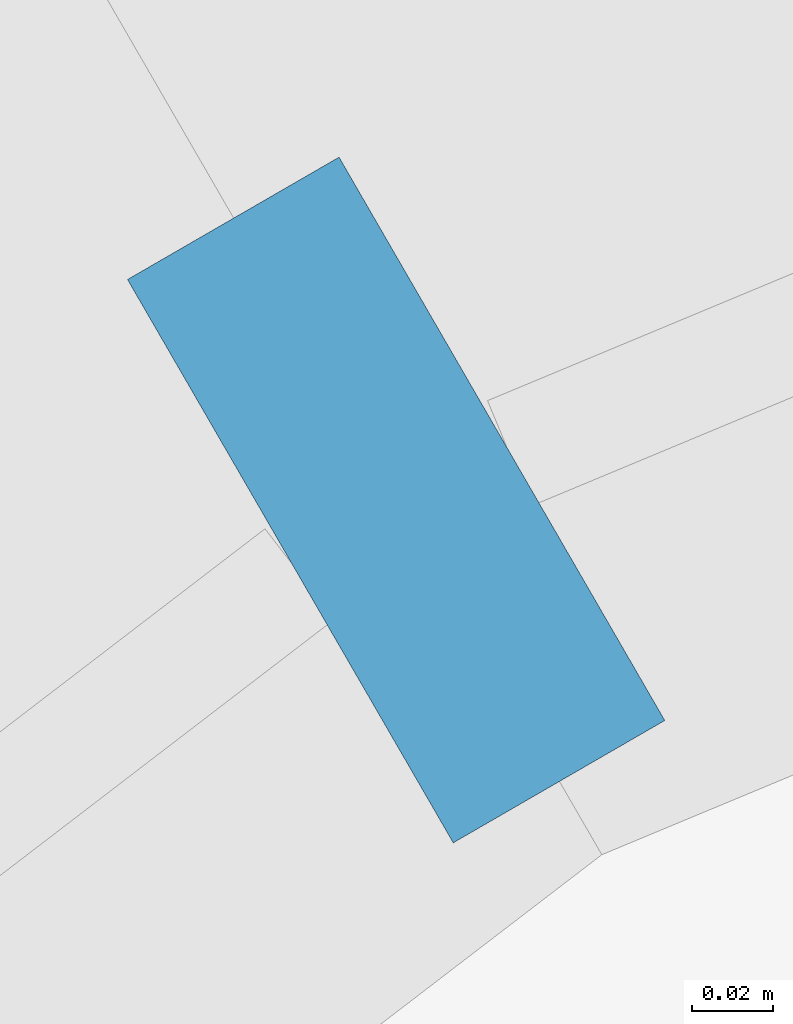
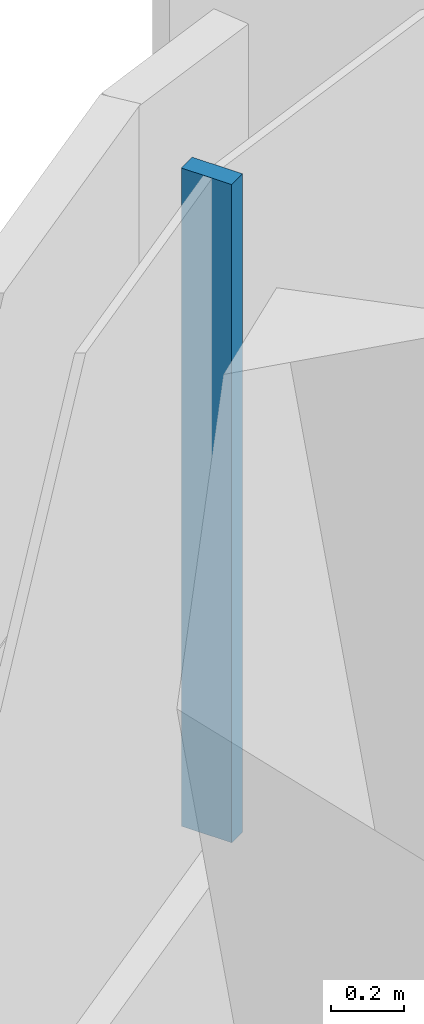
# One storey, part 17 of 33: 1 member, 1 element without a shape of its own.
"""IFC4 building model written with IfcOpenShell, lengths in metres."""

from ifc_helpers import new_model, si_unit, direction, frame, origin, origin_2d, place, context, subcontext, project, spatial, rectangle, extrude, material, layer, layer_set, material_profile, profile_set, type_object, element, aggregate, save


model = new_model("IFC4")

# Units and contexts
model_context = context("Model", 3, precision=1e-05, world=origin(), true_north=direction((0.0, 1.0)))
body_context = subcontext(model_context, "Body", "Model", "MODEL_VIEW")
ifc_project = project(units=[si_unit("LENGTHUNIT", "METRE"), si_unit("AREAUNIT", "SQUARE_METRE"), si_unit("VOLUMEUNIT", "CUBIC_METRE"), si_unit("PLANEANGLEUNIT", "RADIAN"), si_unit("MASSUNIT", "GRAM", prefix="KILO")], contexts=[model_context])

# Site, building, storey
site_placement = place(None, origin())
site = spatial("IfcSite", under=ifc_project, at=site_placement, CompositionType="ELEMENT")
building_placement = place(site_placement, origin())
building = spatial("IfcBuilding", under=site, at=building_placement, Name="Tamarind Cross Interchange Tower", CompositionType="ELEMENT")
storey_placement = place(building_placement, frame((0.0, 0.0, 170.5)))
storey = spatial("IfcBuildingStorey", under=building, at=storey_placement, Name="L42", CompositionType="ELEMENT", Elevation=170.5)

# Curtain wall, member
ifc_material = material(Name="Aluminium 6063-T6", Category="aluminium")
ifc_layer = layer(ifc_material, 0.159912109375)
ifc_layer_set = layer_set([ifc_layer], Name="Aluminium 6063-T6")
curtain_wall_type = type_object("IfcCurtainWallType", Name="Office curtain wall, 9.0 m bays", PredefinedType="NOTDEFINED", material=ifc_layer_set)
curtain_wall_placement = place(storey_placement, origin())
curtain_wall = element("IfcCurtainWall", 1, at=curtain_wall_placement, inside=storey, type_object=curtain_wall_type, Name="CWS-L42-01", PredefinedType="NOTDEFINED")
ifc_material_profile = material_profile(ifc_material, rectangle(XDim=0.06005859375, YDim=0.159912109375, at=origin_2d()), Name="Mullion CW1")
ifc_profile_set = profile_set([ifc_material_profile], Name="Aluminium 6063-T6")
member_type = type_object("IfcMemberType", Name="Mullion CW1", PredefinedType="MULLION", material=ifc_profile_set)
member_placement = place(storey_placement, frame((37.154541015625, 20.26025390625, 1.39990234375), z_axis=(0.0, 0.0, 1.0), x_axis=(-0.86568575921, -0.500587820767, 0.0)))
member = element("IfcMember", 2, at=member_placement, type_object=member_type, Name="CWM-L42-01-00", PredefinedType="MULLION", context=body_context, shape_type="SweptSolid", body=[
    extrude(rectangle(XDim=0.06005859375, YDim=0.159912109375, at=origin_2d()), origin(), (0.0, 0.0, 1.0), 2.210205078125),
])
aggregate(curtain_wall, [member])

save(model, "model.ifc")
